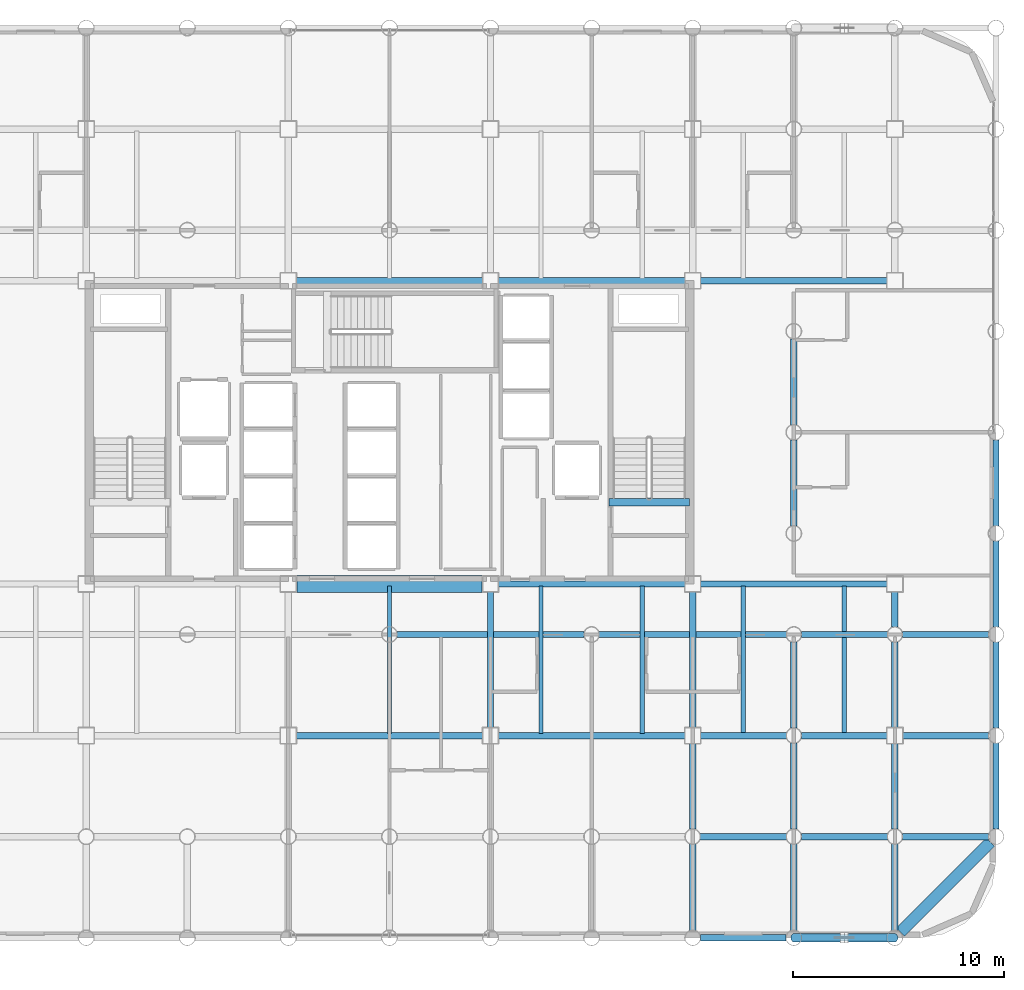
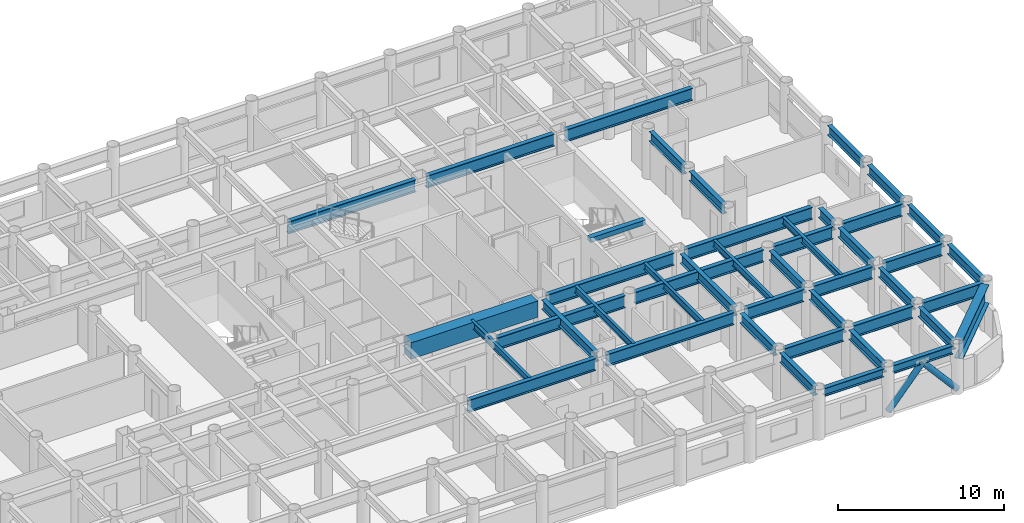
# One storey, part 7 of 21: 44 beams, 2 members.
"""IFC4 building model written with IfcOpenShell, lengths in metres."""

from ifc_helpers import new_model, si_unit, direction, frame, origin, origin_2d, place, context, subcontext, project, spatial, rectangle, hollow_circle, i_section, extrude, material, material_profile, profile_set, type_object, element, save


model = new_model("IFC4")

# Units and contexts
model_context = context("Model", 3, precision=1e-05, world=origin(), true_north=direction((0.0, 1.0)))
body_context = subcontext(model_context, "Body", "Model", "MODEL_VIEW")
ifc_project = project(units=[si_unit("LENGTHUNIT", "METRE"), si_unit("AREAUNIT", "SQUARE_METRE"), si_unit("VOLUMEUNIT", "CUBIC_METRE"), si_unit("PLANEANGLEUNIT", "RADIAN"), si_unit("MASSUNIT", "GRAM", prefix="KILO")], contexts=[model_context])

# Site, building, storey
site_placement = place(None, origin())
site = spatial("IfcSite", under=ifc_project, at=site_placement, CompositionType="ELEMENT")
building_placement = place(site_placement, origin())
building = spatial("IfcBuilding", under=site, at=building_placement, Name="Kallvorn Hotel Tower", CompositionType="ELEMENT")
storey_placement = place(building_placement, frame((0.0, 0.0, 41.10009765625)))
storey = spatial("IfcBuildingStorey", under=building, at=storey_placement, Name="L08", CompositionType="ELEMENT", Elevation=41.10009765625)

# Beams
ifc_material_1 = material(Name="Structural steel S355JR", Category="steel")
ifc_material_profile_1 = material_profile(ifc_material_1, i_section(OverallWidth=0.300048828125, OverallDepth=0.60009765625, WebThickness=0.015380859375, FlangeThickness=0.030029296875, at=origin_2d()), Name="HE 600 B")
ifc_profile_set_1 = profile_set([ifc_material_profile_1], Name="Structural steel S355JR")
beam_type_1 = type_object("IfcBeamType", Name="BM_HE600B", PredefinedType="SPANDREL", material=ifc_profile_set_1)
beam_1_placement = place(storey_placement, frame((14.77099609375, -24.0, 3.219970703125), z_axis=(1.0, 0.0, 0.0), x_axis=(0.0, 1.0, 0.0)))
element("IfcBeam", 1, at=beam_1_placement, inside=storey, type_object=beam_type_1, Name="L09 Perimeter Spandrel 160", PredefinedType="SPANDREL", context=body_context, shape_type="SweptSolid", body=[
    extrude(i_section(OverallWidth=0.300048828125, OverallDepth=0.60009765625, WebThickness=0.015380859375, FlangeThickness=0.030029296875, at=origin_2d()), origin(), (0.0, 0.0, 1.0), 4.05810546875),
])
beam_2_placement = place(storey_placement, frame((19.571044921875, -24.0, 3.219970703125), z_axis=(1.0, 0.0, 0.0), x_axis=(0.0, 1.0, 0.0)))
element("IfcBeam", 2, at=beam_2_placement, inside=storey, type_object=beam_type_1, Name="L09 Perimeter Spandrel 161", PredefinedType="SPANDREL", context=body_context, shape_type="SweptSolid", body=[
    extrude(i_section(OverallWidth=0.300048828125, OverallDepth=0.60009765625, WebThickness=0.015380859375, FlangeThickness=0.030029296875, at=origin_2d()), origin(), (0.0, 0.0, 1.0), 4.057861328125),
])
ifc_material_2 = material(Name="Structural steel S355JR", Category="steel")
ifc_material_profile_2 = material_profile(ifc_material_2, i_section(OverallWidth=0.300048828125, OverallDepth=0.699951171875, WebThickness=0.01708984375, FlangeThickness=0.031982421875, at=origin_2d()), Name="HE 700 B")
ifc_profile_set_2 = profile_set([ifc_material_profile_2], Name="Structural steel S355JR")
beam_type_2 = type_object("IfcBeamType", Name="BM_HE700B", PredefinedType="BEAM", material=ifc_profile_set_2)
beam_3_placement = place(storey_placement, frame((4.800048828125, -14.02490234375, 3.169921875), z_axis=(0.0, 1.0, 0.0), x_axis=(-1.0, 0.0, 0.0)))
element("IfcBeam", 3, at=beam_3_placement, inside=storey, type_object=beam_type_2, Name="L09 Primary Y-Girder 116", PredefinedType="BEAM", context=body_context, shape_type="SweptSolid", body=[
    extrude(i_section(OverallWidth=0.300048828125, OverallDepth=0.699951171875, WebThickness=0.01708984375, FlangeThickness=0.031982421875, at=origin_2d()), origin(), (0.0, 0.0, 1.0), 6.449951171875),
])
beam_4_placement = place(storey_placement, frame((14.39990234375, -23.64404296875, 3.169921875), z_axis=(0.0, 1.0, 0.0), x_axis=(-1.0, 0.0, 0.0)))
element("IfcBeam", 4, at=beam_4_placement, inside=storey, type_object=beam_type_2, Name="L09 Primary Y-Girder 122", PredefinedType="BEAM", context=body_context, shape_type="SweptSolid", body=[
    extrude(i_section(OverallWidth=0.300048828125, OverallDepth=0.699951171875, WebThickness=0.01708984375, FlangeThickness=0.031982421875, at=origin_2d()), origin(), (0.0, 0.0, 1.0), 4.088134765625),
])
beam_5_placement = place(storey_placement, frame((14.39990234375, -18.843994140625, 3.169921875), z_axis=(0.0, 1.0, 0.0), x_axis=(-1.0, 0.0, 0.0)))
element("IfcBeam", 5, at=beam_5_placement, inside=storey, type_object=beam_type_2, Name="L09 Primary Y-Girder 123", PredefinedType="BEAM", context=body_context, shape_type="SweptSolid", body=[
    extrude(i_section(OverallWidth=0.300048828125, OverallDepth=0.699951171875, WebThickness=0.01708984375, FlangeThickness=0.031982421875, at=origin_2d()), origin(), (0.0, 0.0, 1.0), 4.069091796875),
])
beam_6_placement = place(storey_placement, frame((14.39990234375, -14.02490234375, 3.169921875), z_axis=(0.0, 1.0, 0.0), x_axis=(-1.0, 0.0, 0.0)))
element("IfcBeam", 6, at=beam_6_placement, inside=storey, type_object=beam_type_2, Name="L09 Primary Y-Girder 124", PredefinedType="BEAM", context=body_context, shape_type="SweptSolid", body=[
    extrude(i_section(OverallWidth=0.300048828125, OverallDepth=0.699951171875, WebThickness=0.01708984375, FlangeThickness=0.031982421875, at=origin_2d()), origin(), (0.0, 0.0, 1.0), 6.449951171875),
])
beam_7_placement = place(storey_placement, frame((19.199951171875, -23.64404296875, 3.169921875), z_axis=(0.0, 1.0, 0.0), x_axis=(-1.0, 0.0, 0.0)))
element("IfcBeam", 7, at=beam_7_placement, inside=storey, type_object=beam_type_2, Name="L09 Primary Y-Girder 127", PredefinedType="BEAM", context=body_context, shape_type="SweptSolid", body=[
    extrude(i_section(OverallWidth=0.300048828125, OverallDepth=0.699951171875, WebThickness=0.01708984375, FlangeThickness=0.031982421875, at=origin_2d()), origin(), (0.0, 0.0, 1.0), 4.088134765625),
])
for number, where, z_axis, x_axis, name in (
    (8, (19.199951171875, -18.843994140625, 3.169921875), (0.0, 1.0, 0.0), (-1.0, 0.0, 0.0), "L09 Primary Y-Girder 128"),
    (9, (19.199951171875, -14.0439453125, 3.169921875), (0.0, 1.0, 0.0), (-1.0, 0.0, 0.0), "L09 Primary Y-Girder 129"),
):
    element("IfcBeam", number, at=place(storey_placement, frame(where, z_axis=z_axis, x_axis=x_axis)), inside=storey, type_object=beam_type_2, Name=name, PredefinedType="BEAM", context=body_context, shape_type="SweptSolid", body=[
        extrude(i_section(OverallWidth=0.300048828125, OverallDepth=0.699951171875, WebThickness=0.01708984375, FlangeThickness=0.031982421875, at=origin_2d()), origin(), (0.0, 0.0, 1.0), 4.087890625),
    ])
for number, where, z_axis, x_axis, name in (
    (10, (19.199951171875, -4.444091796875, 3.169921875), (0.0, 1.0, 0.0), (-1.0, 0.0, 0.0), "L09 Primary Y-Girder 131"),
    (11, (19.199951171875, 0.35595703125, 3.169921875), (0.0, 1.0, 0.0), (-1.0, 0.0, 0.0), "L09 Primary Y-Girder 132"),
    (12, (24.0, -23.64404296875, 3.169921875), (0.0, 1.0, 0.0), (-1.0, 0.0, 0.0), "L09 Primary Y-Girder 136"),
):
    element("IfcBeam", number, at=place(storey_placement, frame(where, z_axis=z_axis, x_axis=x_axis)), inside=storey, type_object=beam_type_2, Name=name, PredefinedType="BEAM", context=body_context, shape_type="SweptSolid", body=[
        extrude(i_section(OverallWidth=0.300048828125, OverallDepth=0.699951171875, WebThickness=0.01708984375, FlangeThickness=0.031982421875, at=origin_2d()), origin(), (0.0, 0.0, 1.0), 4.088134765625),
    ])
beam_8_placement = place(storey_placement, frame((24.0, -18.843994140625, 3.169921875), z_axis=(0.0, 1.0, 0.0), x_axis=(-1.0, 0.0, 0.0)))
element("IfcBeam", 13, at=beam_8_placement, inside=storey, type_object=beam_type_2, Name="L09 Primary Y-Girder 137", PredefinedType="BEAM", context=body_context, shape_type="SweptSolid", body=[
    extrude(i_section(OverallWidth=0.300048828125, OverallDepth=0.699951171875, WebThickness=0.01708984375, FlangeThickness=0.031982421875, at=origin_2d()), origin(), (0.0, 0.0, 1.0), 4.069091796875),
])
beam_9_placement = place(storey_placement, frame((24.0, -14.02490234375, 3.169921875), z_axis=(0.0, 1.0, 0.0), x_axis=(-1.0, 0.0, 0.0)))
element("IfcBeam", 14, at=beam_9_placement, inside=storey, type_object=beam_type_2, Name="L09 Primary Y-Girder 138", PredefinedType="BEAM", context=body_context, shape_type="SweptSolid", body=[
    extrude(i_section(OverallWidth=0.300048828125, OverallDepth=0.699951171875, WebThickness=0.01708984375, FlangeThickness=0.031982421875, at=origin_2d()), origin(), (0.0, 0.0, 1.0), 4.06884765625),
])
beam_10_placement = place(storey_placement, frame((24.0, -9.243896484375, 3.169921875), z_axis=(0.0, 1.0, 0.0), x_axis=(-1.0, 0.0, 0.0)))
element("IfcBeam", 15, at=beam_10_placement, inside=storey, type_object=beam_type_2, Name="L09 Primary Y-Girder 139", PredefinedType="BEAM", context=body_context, shape_type="SweptSolid", body=[
    extrude(i_section(OverallWidth=0.300048828125, OverallDepth=0.699951171875, WebThickness=0.01708984375, FlangeThickness=0.031982421875, at=origin_2d()), origin(), (0.0, 0.0, 1.0), 1.6689453125),
])
for number, where, z_axis, x_axis, name in (
    (16, (28.800048828125, -18.843994140625, 3.169921875), (0.0, 1.0, 0.0), (-1.0, 0.0, 0.0), "L09 Primary Y-Girder 143"),
    (17, (28.800048828125, -14.0439453125, 3.169921875), (0.0, 1.0, 0.0), (-1.0, 0.0, 0.0), "L09 Primary Y-Girder 144"),
    (18, (28.800048828125, -9.243896484375, 3.169921875), (0.0, 1.0, 0.0), (-1.0, 0.0, 0.0), "L09 Primary Y-Girder 145"),
):
    element("IfcBeam", number, at=place(storey_placement, frame(where, z_axis=z_axis, x_axis=x_axis)), inside=storey, type_object=beam_type_2, Name=name, PredefinedType="BEAM", context=body_context, shape_type="SweptSolid", body=[
        extrude(i_section(OverallWidth=0.300048828125, OverallDepth=0.699951171875, WebThickness=0.01708984375, FlangeThickness=0.031982421875, at=origin_2d()), origin(), (0.0, 0.0, 1.0), 4.087890625),
    ])
beam_11_placement = place(storey_placement, frame((28.800048828125, -4.444091796875, 3.169921875), z_axis=(0.0, 1.0, 0.0), x_axis=(-1.0, 0.0, 0.0)))
element("IfcBeam", 19, at=beam_11_placement, inside=storey, type_object=beam_type_2, Name="L09 Primary Y-Girder 146", PredefinedType="BEAM", context=body_context, shape_type="SweptSolid", body=[
    extrude(i_section(OverallWidth=0.300048828125, OverallDepth=0.699951171875, WebThickness=0.01708984375, FlangeThickness=0.031982421875, at=origin_2d()), origin(), (0.0, 0.0, 1.0), 4.088134765625),
])
ifc_material_3 = material(Name="Structural steel S355JR", Category="steel")
ifc_material_profile_3 = material_profile(ifc_material_3, i_section(OverallWidth=0.300048828125, OverallDepth=0.89990234375, WebThickness=0.0185546875, FlangeThickness=0.034912109375, at=origin_2d()), Name="HE 900 B")
ifc_profile_set_3 = profile_set([ifc_material_profile_3], Name="Structural steel S355JR")
beam_type_3 = type_object("IfcBeamType", Name="BM_HE900B", PredefinedType="BEAM", material=ifc_profile_set_3)
beam_12_placement = place(storey_placement, frame((14.756103515625, -19.199951171875, 3.06982421875), z_axis=(1.0, 0.0, 0.0), x_axis=(0.0, 1.0, 0.0)))
element("IfcBeam", 20, at=beam_12_placement, inside=storey, type_object=beam_type_3, Name="L09 Primary X-Girder 11", PredefinedType="BEAM", context=body_context, shape_type="SweptSolid", body=[
    extrude(i_section(OverallWidth=0.300048828125, OverallDepth=0.89990234375, WebThickness=0.0185546875, FlangeThickness=0.034912109375, at=origin_2d()), origin(), (0.0, 0.0, 1.0), 4.087890625),
])
for number, where, z_axis, x_axis, name in (
    (21, (19.555908203125, -19.199951171875, 3.06982421875), (1.0, 0.0, 0.0), (0.0, 1.0, 0.0), "L09 Primary X-Girder 12"),
    (22, (24.35595703125, -19.199951171875, 3.06982421875), (1.0, 0.0, 0.0), (0.0, 1.0, 0.0), "L09 Primary X-Girder 13"),
):
    element("IfcBeam", number, at=place(storey_placement, frame(where, z_axis=z_axis, x_axis=x_axis)), inside=storey, type_object=beam_type_3, Name=name, PredefinedType="BEAM", context=body_context, shape_type="SweptSolid", body=[
        extrude(i_section(OverallWidth=0.300048828125, OverallDepth=0.89990234375, WebThickness=0.0185546875, FlangeThickness=0.034912109375, at=origin_2d()), origin(), (0.0, 0.0, 1.0), 4.088134765625),
    ])
beam_13_placement = place(storey_placement, frame((-4.425048828125, -14.39990234375, 3.06982421875), z_axis=(1.0, 0.0, 0.0), x_axis=(0.0, 1.0, 0.0)))
element("IfcBeam", 23, at=beam_13_placement, inside=storey, type_object=beam_type_3, Name="L09 Primary X-Girder 19", PredefinedType="BEAM", context=body_context, shape_type="SweptSolid", body=[
    extrude(i_section(OverallWidth=0.300048828125, OverallDepth=0.89990234375, WebThickness=0.0185546875, FlangeThickness=0.034912109375, at=origin_2d()), origin(), (0.0, 0.0, 1.0), 8.85009765625),
])
beam_14_placement = place(storey_placement, frame((5.175048828125, -14.39990234375, 3.06982421875), z_axis=(1.0, 0.0, 0.0), x_axis=(0.0, 1.0, 0.0)))
element("IfcBeam", 24, at=beam_14_placement, inside=storey, type_object=beam_type_3, Name="L09 Primary X-Girder 20", PredefinedType="BEAM", context=body_context, shape_type="SweptSolid", body=[
    extrude(i_section(OverallWidth=0.300048828125, OverallDepth=0.89990234375, WebThickness=0.0185546875, FlangeThickness=0.034912109375, at=origin_2d()), origin(), (0.0, 0.0, 1.0), 8.849853515625),
])
for number, where, z_axis, x_axis, name in (
    (25, (14.77490234375, -14.39990234375, 3.06982421875), (1.0, 0.0, 0.0), (0.0, 1.0, 0.0), "L09 Primary X-Girder 21"),
    (26, (19.555908203125, -14.39990234375, 3.06982421875), (1.0, 0.0, 0.0), (0.0, 1.0, 0.0), "L09 Primary X-Girder 22"),
    (27, (24.375, -14.39990234375, 3.06982421875), (1.0, 0.0, 0.0), (0.0, 1.0, 0.0), "L09 Primary X-Girder 23"),
):
    element("IfcBeam", number, at=place(storey_placement, frame(where, z_axis=z_axis, x_axis=x_axis)), inside=storey, type_object=beam_type_3, Name=name, PredefinedType="BEAM", context=body_context, shape_type="SweptSolid", body=[
        extrude(i_section(OverallWidth=0.300048828125, OverallDepth=0.89990234375, WebThickness=0.0185546875, FlangeThickness=0.034912109375, at=origin_2d()), origin(), (0.0, 0.0, 1.0), 4.069091796875),
    ])
for number, where, z_axis, x_axis, name in (
    (28, (0.35595703125, -9.60009765625, 3.06982421875), (1.0, 0.0, 0.0), (0.0, 1.0, 0.0), "L09 Primary X-Girder 29"),
    (29, (9.9560546875, -9.60009765625, 3.06982421875), (1.0, 0.0, 0.0), (0.0, 1.0, 0.0), "L09 Primary X-Girder 30"),
):
    element("IfcBeam", number, at=place(storey_placement, frame(where, z_axis=z_axis, x_axis=x_axis)), inside=storey, type_object=beam_type_3, Name=name, PredefinedType="BEAM", context=body_context, shape_type="SweptSolid", body=[
        extrude(i_section(OverallWidth=0.300048828125, OverallDepth=0.89990234375, WebThickness=0.0185546875, FlangeThickness=0.034912109375, at=origin_2d()), origin(), (0.0, 0.0, 1.0), 8.887939453125),
    ])
for number, where, z_axis, x_axis, name in (
    (30, (19.555908203125, -9.60009765625, 3.06982421875), (1.0, 0.0, 0.0), (0.0, 1.0, 0.0), "L09 Primary X-Girder 31"),
    (31, (24.35595703125, -9.60009765625, 3.06982421875), (1.0, 0.0, 0.0), (0.0, 1.0, 0.0), "L09 Primary X-Girder 32"),
):
    element("IfcBeam", number, at=place(storey_placement, frame(where, z_axis=z_axis, x_axis=x_axis)), inside=storey, type_object=beam_type_3, Name=name, PredefinedType="BEAM", context=body_context, shape_type="SweptSolid", body=[
        extrude(i_section(OverallWidth=0.300048828125, OverallDepth=0.89990234375, WebThickness=0.0185546875, FlangeThickness=0.034912109375, at=origin_2d()), origin(), (0.0, 0.0, 1.0), 4.088134765625),
    ])
beam_15_placement = place(storey_placement, frame((5.175048828125, -7.199951171875, 3.06982421875), z_axis=(1.0, 0.0, 0.0), x_axis=(0.0, 1.0, 0.0)))
element("IfcBeam", 32, at=beam_15_placement, inside=storey, type_object=beam_type_3, Name="L09 Primary X-Girder 35", PredefinedType="BEAM", context=body_context, shape_type="SweptSolid", body=[
    extrude(i_section(OverallWidth=0.300048828125, OverallDepth=0.89990234375, WebThickness=0.0185546875, FlangeThickness=0.034912109375, at=origin_2d()), origin(), (0.0, 0.0, 1.0), 8.849853515625),
])
for number, where, z_axis, x_axis, name in (
    (33, (14.77490234375, -7.199951171875, 3.06982421875), (1.0, 0.0, 0.0), (0.0, 1.0, 0.0), "L09 Primary X-Girder 36"),
    (34, (-4.425048828125, 7.199951171875, 3.06982421875), (1.0, 0.0, 0.0), (0.0, 1.0, 0.0), "L09 Primary X-Girder 39"),
):
    element("IfcBeam", number, at=place(storey_placement, frame(where, z_axis=z_axis, x_axis=x_axis)), inside=storey, type_object=beam_type_3, Name=name, PredefinedType="BEAM", context=body_context, shape_type="SweptSolid", body=[
        extrude(i_section(OverallWidth=0.300048828125, OverallDepth=0.89990234375, WebThickness=0.0185546875, FlangeThickness=0.034912109375, at=origin_2d()), origin(), (0.0, 0.0, 1.0), 8.85009765625),
    ])
beam_16_placement = place(storey_placement, frame((5.175048828125, 7.199951171875, 3.06982421875), z_axis=(1.0, 0.0, 0.0), x_axis=(0.0, 1.0, 0.0)))
element("IfcBeam", 35, at=beam_16_placement, inside=storey, type_object=beam_type_3, Name="L09 Primary X-Girder 40", PredefinedType="BEAM", context=body_context, shape_type="SweptSolid", body=[
    extrude(i_section(OverallWidth=0.300048828125, OverallDepth=0.89990234375, WebThickness=0.0185546875, FlangeThickness=0.034912109375, at=origin_2d()), origin(), (0.0, 0.0, 1.0), 8.849853515625),
])
beam_17_placement = place(storey_placement, frame((14.77490234375, 7.199951171875, 3.06982421875), z_axis=(1.0, 0.0, 0.0), x_axis=(0.0, 1.0, 0.0)))
element("IfcBeam", 36, at=beam_17_placement, inside=storey, type_object=beam_type_3, Name="L09 Primary X-Girder 41", PredefinedType="BEAM", context=body_context, shape_type="SweptSolid", body=[
    extrude(i_section(OverallWidth=0.300048828125, OverallDepth=0.89990234375, WebThickness=0.0185546875, FlangeThickness=0.034912109375, at=origin_2d()), origin(), (0.0, 0.0, 1.0), 8.85009765625),
])
ifc_material_4 = material(Name="Structural steel S355JR", Category="steel")
ifc_material_profile_4 = material_profile(ifc_material_4, i_section(OverallWidth=0.199951171875, OverallDepth=0.5, WebThickness=0.01025390625, FlangeThickness=0.01611328125, at=origin_2d()), Name="IPE 500")
ifc_profile_set_4 = profile_set([ifc_material_profile_4], Name="Structural steel S355JR")
beam_type_4 = type_object("IfcBeamType", Name="BM_IPE500", PredefinedType="JOIST", material=ifc_profile_set_4)
for number, where, z_axis, x_axis, name in (
    (37, (0.0, -14.300048828125, 3.27001953125), (0.0, 1.0, 0.0), (-1.0, 0.0, 0.0), "L09 Secondary Composite Joist 200"),
    (38, (7.199951171875, -14.300048828125, 3.27001953125), (0.0, 1.0, 0.0), (-1.0, 0.0, 0.0), "L09 Secondary Composite Joist 202"),
    (39, (12.0, -14.300048828125, 3.27001953125), (0.0, 1.0, 0.0), (-1.0, 0.0, 0.0), "L09 Secondary Composite Joist 204"),
    (40, (16.800048828125, -14.300048828125, 3.27001953125), (0.0, 1.0, 0.0), (-1.0, 0.0, 0.0), "L09 Secondary Composite Joist 206"),
    (41, (21.60009765625, -14.300048828125, 3.27001953125), (0.0, 1.0, 0.0), (-1.0, 0.0, 0.0), "L09 Secondary Composite Joist 208"),
):
    element("IfcBeam", number, at=place(storey_placement, frame(where, z_axis=z_axis, x_axis=x_axis)), inside=storey, type_object=beam_type_4, Name=name, PredefinedType="JOIST", context=body_context, shape_type="SweptSolid", body=[
        extrude(i_section(OverallWidth=0.199951171875, OverallDepth=0.5, WebThickness=0.01025390625, FlangeThickness=0.01611328125, at=origin_2d()), origin(), (0.0, 0.0, 1.0), 7.0),
    ])
ifc_material_5 = material(Name="Structural steel S355JR", Category="steel")
ifc_material_profile_5 = material_profile(ifc_material_5, i_section(OverallWidth=0.550048828125, OverallDepth=1.39990234375, WebThickness=0.02490234375, FlangeThickness=0.044921875, at=origin_2d()), Name="PG 1400x550x25x45")
ifc_profile_set_5 = profile_set([ifc_material_profile_5], Name="Structural steel S355JR")
beam_type_5 = type_object("IfcBeamType", Name="BM_PG_1400", PredefinedType="BEAM", material=ifc_profile_set_5)
beam_18_placement = place(storey_placement, frame((28.53759765625, -19.46240234375, 2.81982421875), z_axis=(-0.707106781187, -0.707106781187, 0.0), x_axis=(0.707106781187, -0.707106781187, 0.0)))
element("IfcBeam", 42, at=beam_18_placement, inside=storey, type_object=beam_type_5, Name="L09 Rounded Corner Tie Beam 191", PredefinedType="BEAM", context=body_context, shape_type="SweptSolid", body=[
    extrude(i_section(OverallWidth=0.550048828125, OverallDepth=1.39990234375, WebThickness=0.02490234375, FlangeThickness=0.044921875, at=origin_2d()), origin(), (0.0, 0.0, 1.0), 6.04638671875),
])
ifc_material_6 = material(Name="Concrete C50/60", Category="concrete")
ifc_material_profile_6 = material_profile(ifc_material_6, rectangle(XDim=0.360107421875, YDim=0.340087890625, at=origin_2d()), Name="RC 360x340")
ifc_profile_set_6 = profile_set([ifc_material_profile_6], Name="Concrete C50/60")
beam_type_6 = type_object("IfcBeamType", Name="BM_RC_400x360", PredefinedType="BEAM", material=ifc_profile_set_6)
beam_19_placement = place(storey_placement, frame((14.239990234375, -3.31005859375, 3.349853515625), z_axis=(-1.0, 0.0, 0.0), x_axis=(0.0, -1.0, 0.0)))
element("IfcBeam", 43, at=beam_19_placement, inside=storey, type_object=beam_type_6, Name="L09 Stair ST2 Arrival Trimmer Beam", PredefinedType="BEAM", context=body_context, shape_type="SweptSolid", body=[
    extrude(rectangle(XDim=0.360107421875, YDim=0.340087890625, at=origin_2d()), origin(), (0.0, 0.0, 1.0), 3.820068359375),
])
ifc_material_7 = material(Name="Concrete C50/60", Category="concrete")
ifc_material_profile_7 = material_profile(ifc_material_7, rectangle(XDim=0.800048828125, YDim=1.199951171875, at=origin_2d()), Name="RC 800x1200")
ifc_profile_set_7 = profile_set([ifc_material_profile_7], Name="Concrete C50/60")
beam_type_7 = type_object("IfcBeamType", Name="BM_RC_800x1200", PredefinedType="T_BEAM", material=ifc_profile_set_7)
beam_20_placement = place(storey_placement, frame((-4.39990234375, -7.199951171875, 2.919921875), z_axis=(1.0, 0.0, 0.0), x_axis=(0.0, 1.0, 0.0)))
element("IfcBeam", 44, at=beam_20_placement, inside=storey, type_object=beam_type_7, Name="L08 Core Coupling Beam South", PredefinedType="T_BEAM", context=body_context, shape_type="SweptSolid", body=[
    extrude(rectangle(XDim=0.800048828125, YDim=1.199951171875, at=origin_2d()), origin(), (0.0, 0.0, 1.0), 8.7998046875),
])

# Members
ifc_material_8 = material(Name="Structural steel S355J2H", Category="steel")
ifc_material_profile_8 = material_profile(ifc_material_8, hollow_circle(Radius=0.203125, WallThickness=0.01611328125, at=origin_2d()), Name="CHS 406.4x16")
ifc_profile_set_8 = profile_set([ifc_material_profile_8], Name="Structural steel S355J2H")
member_type = type_object("IfcMemberType", Name="MBR_EXO_CHS406", PredefinedType="BRACE", material=ifc_profile_set_8)
for number, where, z_axis, x_axis, name in (
    (45, (19.213134765625, -24.0, 0.195068359375), (0.65346062529, 0.0, 0.756960508346), (0.0, 1.0, 0.0), "L08 Exoskeleton K-Brace S2A"),
    (46, (23.98681640625, -24.0, 0.195068359375), (-0.65346062529, 0.0, 0.756960508346), (0.0, -1.0, 0.0), "L08 Exoskeleton K-Brace S2B"),
):
    element("IfcMember", number, at=place(storey_placement, frame(where, z_axis=z_axis, x_axis=x_axis)), inside=storey, type_object=member_type, Name=name, PredefinedType="BRACE", context=body_context, shape_type="SweptSolid", body=[
        extrude(hollow_circle(Radius=0.203125, WallThickness=0.01611328125, at=origin_2d()), origin(), (0.0, 0.0, 1.0), 3.632568359375),
    ])

save(model, "model.ifc")
